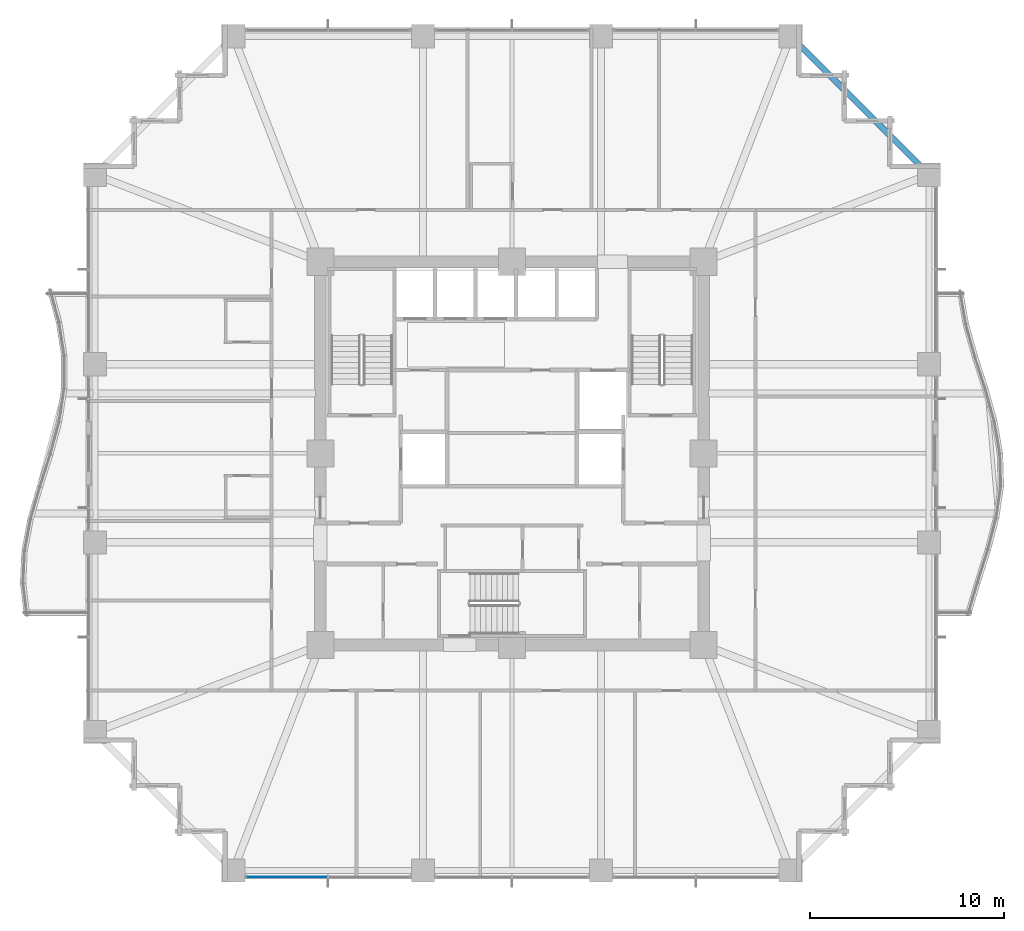
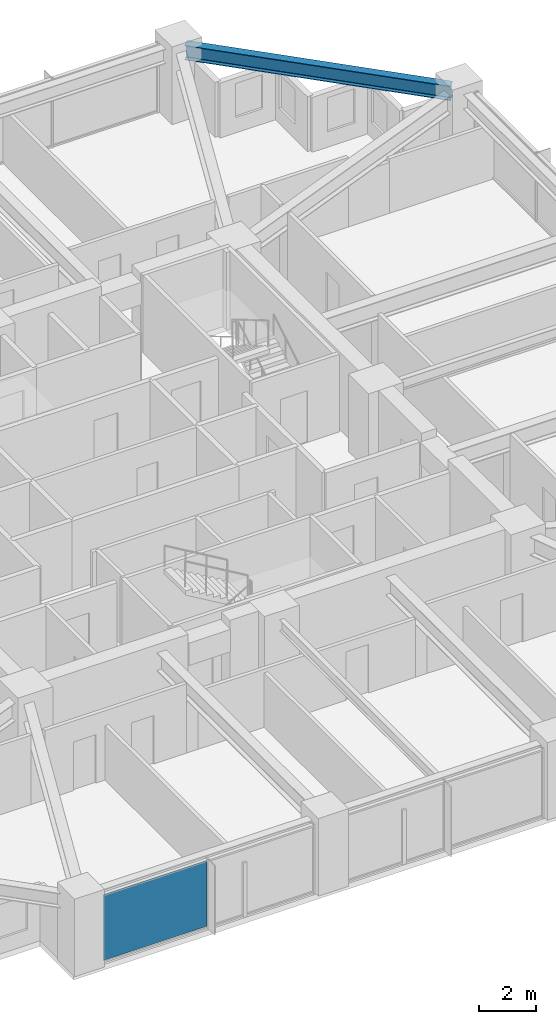
# One storey, part 27 of 38: 1 beam, 1 plate, 1 element without a shape of its own.
"""IFC4 building model written with IfcOpenShell, lengths in metres."""

from ifc_helpers import new_model, si_unit, direction, frame, origin, origin_2d, place, context, subcontext, project, spatial, rectangle, i_section, extrude, material, layer, layer_set, material_profile, profile_set, type_object, element, aggregate, save


model = new_model("IFC4")

# Units and contexts
model_context = context("Model", 3, precision=1e-05, world=origin(), true_north=direction((0.0, 1.0)))
body_context = subcontext(model_context, "Body", "Model", "MODEL_VIEW")
ifc_project = project(units=[si_unit("LENGTHUNIT", "METRE"), si_unit("AREAUNIT", "SQUARE_METRE"), si_unit("VOLUMEUNIT", "CUBIC_METRE"), si_unit("PLANEANGLEUNIT", "RADIAN"), si_unit("MASSUNIT", "GRAM", prefix="KILO")], contexts=[model_context])

# Site, building, storey
site_placement = place(None, origin())
site = spatial("IfcSite", under=ifc_project, at=site_placement, CompositionType="ELEMENT")
building_placement = place(site_placement, origin())
building = spatial("IfcBuilding", under=site, at=building_placement, Name="Kolvaren Belvedere", CompositionType="ELEMENT")
storey_placement = place(building_placement, frame((0.0, 0.0, 60.10009765625)))
storey = spatial("IfcBuildingStorey", under=building, at=storey_placement, Name="L17", CompositionType="ELEMENT", Elevation=60.10009765625)

# Beam
ifc_material_1 = material(Name="Structural steel ASTM A992 Grade 50", Category="steel")
ifc_material_profile = material_profile(ifc_material_1, i_section(OverallWidth=0.324951171875, OverallDepth=0.615966796875, WebThickness=0.013916015625, FlangeThickness=0.021484375, FilletRadius=0.02001953125, at=origin_2d()), Name="W24X117")
ifc_profile_set = profile_set([ifc_material_profile], Name="Structural steel ASTM A992 Grade 50")
beam_type = type_object("IfcBeamType", Name="BM-SPAN-W24X117", PredefinedType="SPANDREL", material=ifc_profile_set)
beam_placement = place(storey_placement, frame((21.359130859375, 14.5908203125, 2.641845703125), z_axis=(-0.707106781187, 0.707106781187, 0.0), x_axis=(-0.707106781187, -0.707106781187, 0.0)))
element("IfcBeam", 1, at=beam_placement, inside=storey, type_object=beam_type, Name="L17 Perimeter Spandrel E4-N4", PredefinedType="SPANDREL", context=body_context, shape_type="SweptSolid", body=[
    extrude(i_section(OverallWidth=0.324951171875, OverallDepth=0.615966796875, WebThickness=0.013916015625, FlangeThickness=0.021484375, FilletRadius=0.02001953125, at=origin_2d()), origin(), (0.0, 0.0, 1.0), 9.57177734375),
])

# Curtain wall, plate
ifc_material_2 = material(Name="Anodised pale-metal aluminium AA 6063-T6", Category="aluminium")
curtain_wall_type = type_object("IfcCurtainWallType", Name="CW-Z1-LOW", PredefinedType="NOTDEFINED", material=ifc_material_2)
curtain_wall_placement = place(storey_placement, origin())
curtain_wall = element("IfcCurtainWall", 2, at=curtain_wall_placement, inside=storey, type_object=curtain_wall_type, Name="L17 Unitised Curtain Wall FCW-L17-S-B3", PredefinedType="NOTDEFINED")
ifc_material_3 = material(Name="Low-iron triple insulated glass", Category="glass")
ifc_layer = layer(ifc_material_3, 0.028076171875)
ifc_layer_set = layer_set([ifc_layer], Name="Low-iron triple insulated glass")
plate_type = type_object("IfcPlateType", Name="CW-PNL-VIS28", PredefinedType="CURTAIN_PANEL", material=ifc_layer_set)
plate_placement = place(storey_placement, frame((-11.62255859375, -21.8798828125, 0.079833984375), z_axis=(0.0, 0.0, 1.0), x_axis=(-1.0, 0.0, 0.0)))
plate = element("IfcPlate", 3, at=plate_placement, type_object=plate_type, Name="FCW-L17-S-B3 Vision Glazing Panel 2", PredefinedType="CURTAIN_PANEL", context=body_context, shape_type="SweptSolid", body=[
    extrude(rectangle(XDim=4.1650390625, YDim=0.028076171875, at=origin_2d()), origin(), (0.0, 0.0, 1.0), 2.7900390625),
])
aggregate(curtain_wall, [plate])

save(model, "model.ifc")
